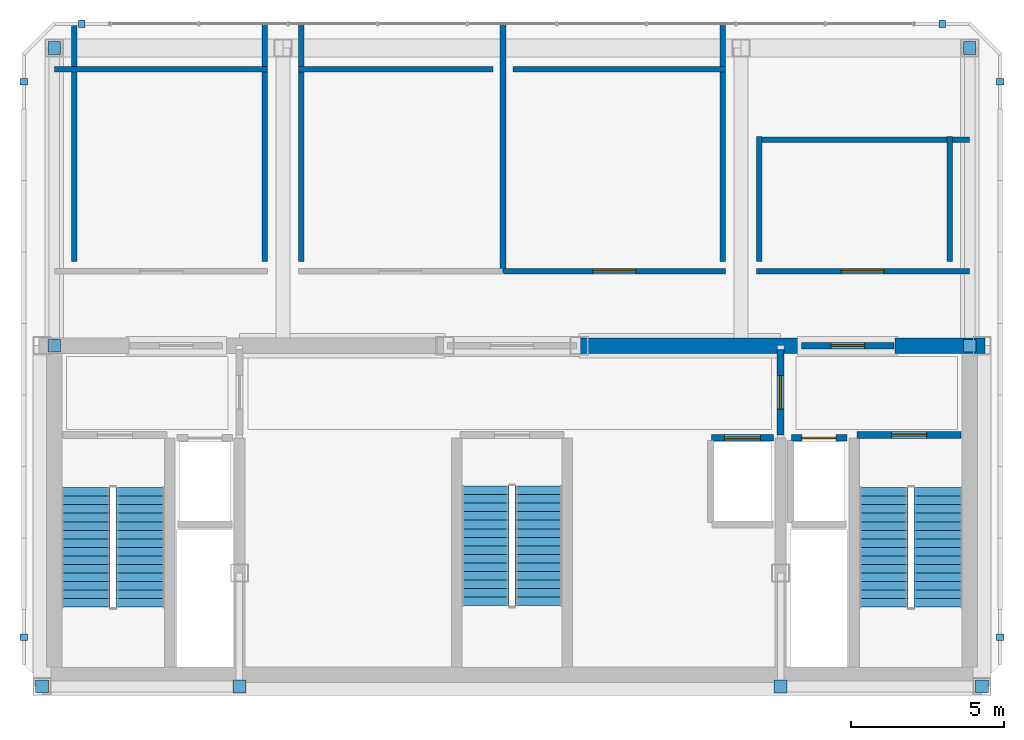
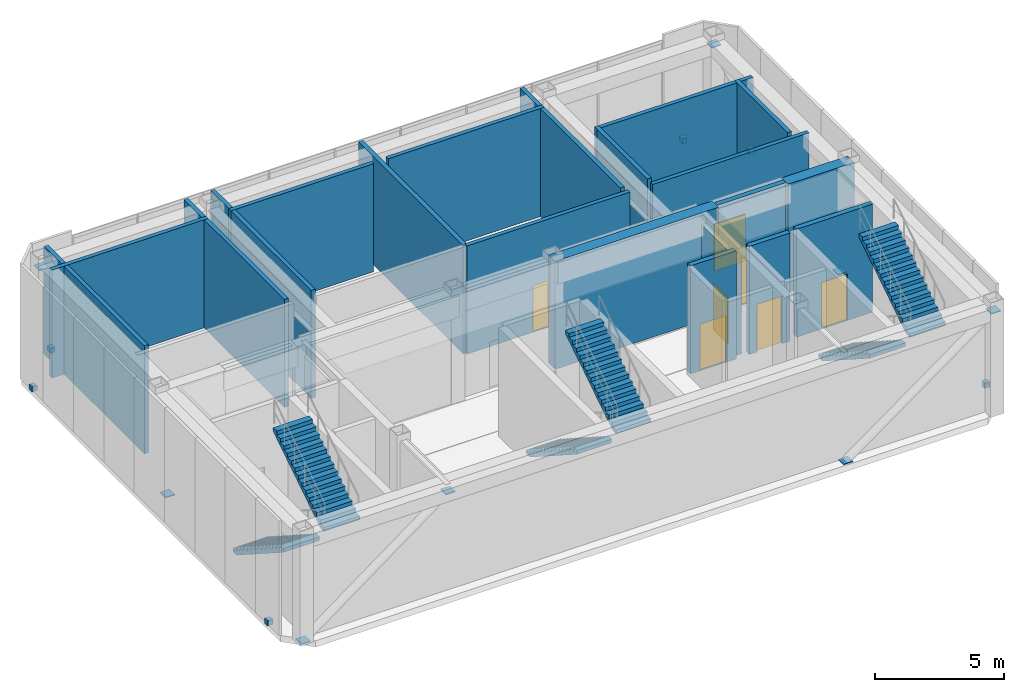
# One storey, part 8 of 9: 20 walls, 14 discrete accessories, 7 doors, 6 stair flights, 7 openings, 3 elements without a shape of their own.
"""IFC4 building model written with IfcOpenShell, lengths in metres."""

from ifc_helpers import new_model, si_unit, direction, frame, frame_2d, origin, origin_2d, place, context, subcontext, project, spatial, polyline, rectangle, outline, extrude, material, layer, layer_set, type_object, element, fill, aggregate, save


model = new_model("IFC4")

# Units and contexts
model_context = context("Model", 3, precision=1e-05, world=origin(), true_north=direction((0.0, 1.0)))
body_context = subcontext(model_context, "Body", "Model", "MODEL_VIEW")
ifc_project = project(units=[si_unit("LENGTHUNIT", "METRE"), si_unit("AREAUNIT", "SQUARE_METRE"), si_unit("VOLUMEUNIT", "CUBIC_METRE"), si_unit("PLANEANGLEUNIT", "RADIAN"), si_unit("MASSUNIT", "GRAM", prefix="KILO")], contexts=[model_context])

# Site, building, storey
site_placement = place(None, origin())
site = spatial("IfcSite", under=ifc_project, at=site_placement, CompositionType="ELEMENT")
building_placement = place(site_placement, origin())
building = spatial("IfcBuilding", under=site, at=building_placement, Name="Ventersveld Concourse Tower", CompositionType="ELEMENT")
storey_placement = place(building_placement, frame((0.0, 0.0, 377.449951171875)))
storey = spatial("IfcBuildingStorey", under=building, at=storey_placement, Name="L92", CompositionType="ELEMENT", Elevation=377.449951171875)

# Walls
ifc_material_1 = material(Name="Concrete C50/60", Category="concrete")
ifc_layer_1 = layer(ifc_material_1, 0.5)
ifc_layer_set_1 = layer_set([ifc_layer_1], Name="Concrete C50/60")
wall_type_1 = type_object("IfcWallType", Name="WL-CORE-500", PredefinedType="SHEAR", material=ifc_layer_set_1)
wall_1_placement = place(storey_placement, frame((30.89990234375, 11.449951171875, 0.0), z_axis=(0.0, 0.0, 1.0), x_axis=(1.0, 0.0, 0.0)))
element("IfcWall", 1, at=wall_1_placement, inside=storey, type_object=wall_type_1, Name="L92 Rear Core North Shear Wall NMR", PredefinedType="SHEAR", context=body_context, shape_type="SweptSolid", body=[
    extrude(rectangle(XDim=7.300048828125, YDim=0.5, at=frame_2d((3.64990234375, 0.0))), origin(), (0.0, 0.0, 1.0), 5.10009765625),
])
wall_2_placement = place(storey_placement, frame((41.300048828125, 11.449951171875, 0.0), z_axis=(0.0, 0.0, 1.0), x_axis=(1.0, 0.0, 0.0)))
element("IfcWall", 2, at=wall_2_placement, inside=storey, type_object=wall_type_1, Name="L92 Rear Core North Shear Wall NE", PredefinedType="SHEAR", context=body_context, shape_type="SweptSolid", body=[
    extrude(rectangle(XDim=2.949951171875, YDim=0.5, at=frame_2d((1.47509765625, 0.0))), origin(), (0.0, 0.0, 1.0), 5.10009765625),
])

# Wall, opening, door
ifc_material_2 = material(Name="Fire-rated autoclaved aerated masonry blockwork", Category="masonry")
ifc_layer_2 = layer(ifc_material_2, 0.179931640625)
ifc_layer_set_2 = layer_set([ifc_layer_2], Name="Fire-rated autoclaved aerated masonry blockwork")
wall_type_2 = type_object("IfcWallType", Name="WL-CORR-180", PredefinedType="PARTITIONING", material=ifc_layer_set_2)
wall_3_placement = place(storey_placement, frame((28.47509765625, 13.889892578125, 0.0), z_axis=(0.0, 0.0, 1.0), x_axis=(1.0, 0.0, 0.0)))
wall_3 = element("IfcWall", 3, at=wall_3_placement, inside=storey, type_object=wall_type_2, Name="L92 Interior Partition SP-L92-PCOR-SP-L92-BATT", PredefinedType="PARTITIONING", context=body_context, shape_type="SweptSolid", body=[
    extrude(rectangle(XDim=7.27001953125, YDim=0.179931640625, at=frame_2d((3.635009765625, 0.0))), origin(), (0.0, 0.0, 1.0), 5.10009765625),
])
opening_1_placement = place(wall_3_placement, frame((2.93505859375, 0.0, 0.0)))
opening_1 = element("IfcOpeningElement", 4, at=opening_1_placement, cuts=wall_3, Name="Opening FD4", PredefinedType="OPENING", context=body_context, shape_type="SweptSolid", body=[
    extrude(rectangle(XDim=1.39990234375, YDim=2.199951171875, at=frame_2d((0.699951171875, 1.10009765625))), frame((0.0, 0.10009765625, 0.0), z_axis=(0.0, -1.0, 0.0), x_axis=(1.0, 0.0, 0.0)), (0.0, 0.0, 1.0), 0.199951171875),
])
ifc_material_3 = material(Name="Galvanised painted steel", Category="steel")
door_type_1 = type_object("IfcDoorType", Name="DR-PLANT-140", OperationType="DOUBLE_DOOR_SINGLE_SWING", PredefinedType="DOOR", material=ifc_material_3)
door_1_placement = place(opening_1_placement, origin())
door_1 = element("IfcDoor", 5, at=door_1_placement, inside=storey, type_object=door_type_1, Name="L92 Interior Door SP-L92-PCOR to SP-L92-BATT (FD-L92-3992)", OperationType="DOUBLE_DOOR_SINGLE_SWING", OverallHeight=2.199951171875, OverallWidth=1.39990234375, PredefinedType="DOOR", context=body_context, shape_type="SweptSolid", body=[
    extrude(rectangle(XDim=1.39990234375, YDim=2.199951171875, at=frame_2d((0.699951171875, 1.10009765625))), frame((0.0, 0.02490234375, 0.0), z_axis=(0.0, -1.0, 0.0), x_axis=(1.0, 0.0, 0.0)), (0.0, 0.0, 1.0), 0.050048828125),
])
fill(opening_1, door_1)

wall_4_placement = place(storey_placement, frame((36.7548828125, 13.889892578125, 0.0), z_axis=(0.0, 0.0, 1.0), x_axis=(1.0, 0.0, 0.0)))
wall_4 = element("IfcWall", 6, at=wall_4_placement, inside=storey, type_object=wall_type_2, Name="L92 Interior Partition SP-L92-PCOR-SP-L92-TNK", PredefinedType="PARTITIONING", context=body_context, shape_type="SweptSolid", body=[
    extrude(rectangle(XDim=6.97705078125, YDim=0.179931640625, at=frame_2d((3.488525390625, 0.0))), origin(), (0.0, 0.0, 1.0), 5.10009765625),
])
opening_2_placement = place(wall_4_placement, frame((2.78857421875, 0.0, 0.0)))
opening_2 = element("IfcOpeningElement", 7, at=opening_2_placement, cuts=wall_4, Name="Opening FD4", PredefinedType="OPENING", context=body_context, shape_type="SweptSolid", body=[
    extrude(rectangle(XDim=1.39990234375, YDim=2.199951171875, at=frame_2d((0.699951171875, 1.10009765625))), frame((0.0, 0.10009765625, 0.0), z_axis=(0.0, -1.0, 0.0), x_axis=(1.0, 0.0, 0.0)), (0.0, 0.0, 1.0), 0.199951171875),
])
door_2_placement = place(opening_2_placement, origin())
door_2 = element("IfcDoor", 8, at=door_2_placement, inside=storey, type_object=door_type_1, Name="L92 Interior Door SP-L92-PCOR to SP-L92-TNK (FD-L92-3993)", OperationType="DOUBLE_DOOR_SINGLE_SWING", OverallHeight=2.199951171875, OverallWidth=1.39990234375, PredefinedType="DOOR", context=body_context, shape_type="SweptSolid", body=[
    extrude(rectangle(XDim=1.39990234375, YDim=2.199951171875, at=frame_2d((0.699951171875, 1.10009765625))), frame((0.0, 0.02490234375, 0.0), z_axis=(0.0, -1.0, 0.0), x_axis=(1.0, 0.0, 0.0)), (0.0, 0.0, 1.0), 0.050048828125),
])
fill(opening_2, door_2)

# Walls
wall_5_placement = place(storey_placement, frame((20.64990234375, 14.215087890625, 0.0), z_axis=(0.0, 0.0, 1.0), x_axis=(0.0, 1.0, 0.0)))
element("IfcWall", 9, at=wall_5_placement, inside=storey, type_object=wall_type_2, Name="L92 Room Enclosure Wall SP-L92-TX", PredefinedType="PARTITIONING", context=body_context, shape_type="SweptSolid", body=[
    extrude(rectangle(XDim=7.766845703125, YDim=0.179931640625, at=frame_2d((3.88330078125, 0.0))), origin(), (0.0, 0.0, 1.0), 5.10009765625),
])
wall_6_placement = place(storey_placement, frame((20.7451171875, 20.5, 0.0), z_axis=(0.0, 0.0, 1.0), x_axis=(-1.0, 0.0, 0.0)))
element("IfcWall", 10, at=wall_6_placement, inside=storey, type_object=wall_type_2, Name="L92 Room Enclosure Wall SP-L92-TX", PredefinedType="PARTITIONING", context=body_context, shape_type="SweptSolid", body=[
    extrude(rectangle(XDim=6.97705078125, YDim=0.179931640625, at=frame_2d((3.488525390625, 0.0))), origin(), (0.0, 0.0, 1.0), 5.10009765625),
])
wall_7_placement = place(storey_placement, frame((14.39990234375, 21.990966796875, 0.0), z_axis=(0.0, 0.0, 1.0), x_axis=(0.0, -1.0, 0.0)))
element("IfcWall", 11, at=wall_7_placement, inside=storey, type_object=wall_type_2, Name="L92 Room Enclosure Wall SP-L92-TX", PredefinedType="PARTITIONING", context=body_context, shape_type="SweptSolid", body=[
    extrude(rectangle(XDim=7.77587890625, YDim=0.179931640625, at=frame_2d((3.887939453125, 0.0))), origin(), (0.0, 0.0, 1.0), 5.10009765625),
])
wall_8_placement = place(storey_placement, frame((28.125, 20.5, 0.0), z_axis=(0.0, 0.0, 1.0), x_axis=(-1.0, 0.0, 0.0)))
element("IfcWall", 12, at=wall_8_placement, inside=storey, type_object=wall_type_2, Name="L92 Room Enclosure Wall SP-L92-UPS", PredefinedType="PARTITIONING", context=body_context, shape_type="SweptSolid", body=[
    extrude(rectangle(XDim=6.3701171875, YDim=0.179931640625, at=frame_2d((3.18505859375, 0.0))), origin(), (0.0, 0.0, 1.0), 5.10009765625),
])
for number, where, z_axis, x_axis, name in (
    (13, (21.85009765625, 21.98193359375, 0.0), (0.0, 0.0, 1.0), (0.0, -1.0, 0.0), "L92 Room Enclosure Wall SP-L92-UPS"),
    (14, (35.64990234375, 14.215087890625, 0.0), (0.0, 0.0, 1.0), (0.0, 1.0, 0.0), "L92 Room Enclosure Wall SP-L92-BATT"),
):
    element("IfcWall", number, at=place(storey_placement, frame(where, z_axis=z_axis, x_axis=x_axis)), inside=storey, type_object=wall_type_2, Name=name, PredefinedType="PARTITIONING", context=body_context, shape_type="SweptSolid", body=[
        extrude(rectangle(XDim=7.766845703125, YDim=0.179931640625, at=frame_2d((3.88330078125, 0.0))), origin(), (0.0, 0.0, 1.0), 5.10009765625),
    ])
wall_9_placement = place(storey_placement, frame((35.7451171875, 20.5, 0.0), z_axis=(0.0, 0.0, 1.0), x_axis=(-1.0, 0.0, 0.0)))
element("IfcWall", 15, at=wall_9_placement, inside=storey, type_object=wall_type_2, Name="L92 Room Enclosure Wall SP-L92-BATT", PredefinedType="PARTITIONING", context=body_context, shape_type="SweptSolid", body=[
    extrude(rectangle(XDim=6.97021484375, YDim=0.179931640625, at=frame_2d((3.485107421875, 0.0))), origin(), (0.0, 0.0, 1.0), 5.10009765625),
])
wall_10_placement = place(storey_placement, frame((43.10009765625, 14.215087890625, 0.0), z_axis=(0.0, 0.0, 1.0), x_axis=(0.0, 1.0, 0.0)))
element("IfcWall", 16, at=wall_10_placement, inside=storey, type_object=wall_type_2, Name="L92 Room Enclosure Wall SP-L92-TNK", PredefinedType="PARTITIONING", context=body_context, shape_type="SweptSolid", body=[
    extrude(rectangle(XDim=4.079833984375, YDim=0.179931640625, at=frame_2d((2.0400390625, 0.0))), origin(), (0.0, 0.0, 1.0), 5.10009765625),
])
wall_11_placement = place(storey_placement, frame((43.73193359375, 18.199951171875, 0.0), z_axis=(0.0, 0.0, 1.0), x_axis=(-1.0, 0.0, 0.0)))
element("IfcWall", 17, at=wall_11_placement, inside=storey, type_object=wall_type_2, Name="L92 Room Enclosure Wall SP-L92-TNK", PredefinedType="PARTITIONING", context=body_context, shape_type="SweptSolid", body=[
    extrude(rectangle(XDim=6.97705078125, YDim=0.179931640625, at=frame_2d((3.488525390625, 0.0))), origin(), (0.0, 0.0, 1.0), 5.10009765625),
])
wall_12_placement = place(storey_placement, frame((36.85009765625, 18.294921875, 0.0), z_axis=(0.0, 0.0, 1.0), x_axis=(0.0, -1.0, 0.0)))
element("IfcWall", 18, at=wall_12_placement, inside=storey, type_object=wall_type_2, Name="L92 Room Enclosure Wall SP-L92-TNK", PredefinedType="PARTITIONING", context=body_context, shape_type="SweptSolid", body=[
    extrude(rectangle(XDim=4.079833984375, YDim=0.179931640625, at=frame_2d((2.0400390625, 0.0))), origin(), (0.0, 0.0, 1.0), 5.10009765625),
])
ifc_layer_3 = layer(ifc_material_2, 0.199951171875)
ifc_layer_set_3 = layer_set([ifc_layer_3], Name="Fire-rated autoclaved aerated masonry blockwork")
wall_type_3 = type_object("IfcWallType", Name="WL-DEMISE-200", PredefinedType="PARTITIONING", material=ifc_layer_set_3)
wall_13_placement = place(storey_placement, frame((28.449951171875, 13.885009765625, 0.0), z_axis=(0.0, 0.0, 1.0), x_axis=(0.0, 1.0, 0.0)))
element("IfcWall", 19, at=wall_13_placement, inside=storey, type_object=wall_type_3, Name="L92 Interior Partition SP-L92-UPS-SP-L92-BATT", PredefinedType="PARTITIONING", context=body_context, shape_type="SweptSolid", body=[
    extrude(rectangle(XDim=8.096923828125, YDim=0.199951171875, at=frame_2d((4.04833984375, 0.0))), origin(), (0.0, 0.0, 1.0), 5.10009765625),
])

# Wall, opening, door
ifc_layer_4 = layer(ifc_material_2, 0.219970703125)
ifc_layer_set_4 = layer_set([ifc_layer_4], Name="Fire-rated autoclaved aerated masonry blockwork")
wall_type_4 = type_object("IfcWallType", Name="WL-HOIST-220", PredefinedType="SOLIDWALL", material=ifc_layer_set_4)
wall_14_placement = place(storey_placement, frame((37.89990234375, 8.429931640625, 0.0), z_axis=(0.0, 0.0, 1.0), x_axis=(1.0, 0.0, 0.0)))
wall_14 = element("IfcWall", 20, at=wall_14_placement, inside=storey, type_object=wall_type_4, Name="L92 Lift Hoistway Front Wall FFL-02", PredefinedType="SOLIDWALL", context=body_context, shape_type="SweptSolid", body=[
    extrude(rectangle(XDim=1.820068359375, YDim=0.219970703125, at=frame_2d((0.91015625, 0.0))), origin(), (0.0, 0.0, 1.0), 5.10009765625),
])
opening_3_placement = place(wall_14_placement, frame((0.35009765625, 0.0, 0.0)))
opening_3 = element("IfcOpeningElement", 21, at=opening_3_placement, cuts=wall_14, Name="Opening LD1", PredefinedType="OPENING", context=body_context, shape_type="SweptSolid", body=[
    extrude(rectangle(XDim=1.1201171875, YDim=2.25, at=frame_2d((0.56005859375, 1.125))), frame((0.0, 0.1201171875, 0.0), z_axis=(0.0, -1.0, 0.0), x_axis=(1.0, 0.0, 0.0)), (0.0, 0.0, 1.0), 0.239990234375),
])
ifc_material_4 = material(Name="Brushed stainless steel 316", Category="steel")
door_type_2 = type_object("IfcDoorType", Name="LD-FF-112", OperationType="SLIDING_TO_LEFT", PredefinedType="DOOR", material=ifc_material_4)
door_3_placement = place(opening_3_placement, origin())
door_3 = element("IfcDoor", 22, at=door_3_placement, inside=storey, type_object=door_type_2, Name="L92 Lift landing door FFL-02 (LD-L92-FFL-02)", OperationType="SLIDING_TO_LEFT", OverallHeight=2.25, OverallWidth=1.1201171875, PredefinedType="DOOR", context=body_context, shape_type="SweptSolid", body=[
    extrude(rectangle(XDim=1.1201171875, YDim=2.25, at=frame_2d((0.56005859375, 1.125))), frame((0.0, 0.02490234375, 0.0), z_axis=(0.0, -1.0, 0.0), x_axis=(1.0, 0.0, 0.0)), (0.0, 0.0, 1.0), 0.050048828125),
])
fill(opening_3, door_3)

wall_15_placement = place(storey_placement, frame((35.280029296875, 8.429931640625, 0.0), z_axis=(0.0, 0.0, 1.0), x_axis=(1.0, 0.0, 0.0)))
wall_15 = element("IfcWall", 23, at=wall_15_placement, inside=storey, type_object=wall_type_4, Name="L92 Lift Hoistway Front Wall SVL-01", PredefinedType="SOLIDWALL", context=body_context, shape_type="SweptSolid", body=[
    extrude(rectangle(XDim=2.0400390625, YDim=0.219970703125, at=frame_2d((1.02001953125, 0.0))), origin(), (0.0, 0.0, 1.0), 5.10009765625),
])
opening_4_placement = place(wall_15_placement, frame((0.429931640625, 0.0, 0.0)))
opening_4 = element("IfcOpeningElement", 24, at=opening_4_placement, cuts=wall_15, Name="Opening LD2", PredefinedType="OPENING", context=body_context, shape_type="SweptSolid", body=[
    extrude(rectangle(XDim=1.179931640625, YDim=2.199951171875, at=frame_2d((0.58984375, 1.10009765625))), frame((0.0, 0.1201171875, 0.0), z_axis=(0.0, -1.0, 0.0), x_axis=(1.0, 0.0, 0.0)), (0.0, 0.0, 1.0), 0.239990234375),
])
door_type_3 = type_object("IfcDoorType", Name="LD-PAX-118", OperationType="SLIDING_TO_LEFT", PredefinedType="DOOR", material=ifc_material_4)
door_4_placement = place(opening_4_placement, origin())
door_4 = element("IfcDoor", 25, at=door_4_placement, inside=storey, type_object=door_type_3, Name="L92 Lift landing door SVL-01 (LD-L92-SVL-01)", OperationType="SLIDING_TO_RIGHT", OverallHeight=2.199951171875, OverallWidth=1.179931640625, PredefinedType="DOOR", context=body_context, shape_type="SweptSolid", body=[
    extrude(rectangle(XDim=1.179931640625, YDim=2.199951171875, at=frame_2d((0.58984375, 1.10009765625))), frame((0.0, 0.02490234375, 0.0), z_axis=(0.0, -1.0, 0.0), x_axis=(1.0, 0.0, 0.0)), (0.0, 0.0, 1.0), 0.050048828125),
])
fill(opening_4, door_4)

wall_16_placement = place(storey_placement, frame((40.06005859375, 8.52001953125, 0.0), z_axis=(0.0, 0.0, 1.0), x_axis=(1.0, 0.0, 0.0)))
wall_16 = element("IfcWall", 26, at=wall_16_placement, inside=storey, type_object=wall_type_4, Name="L92 Escape Stair ST02 Fire Wall", PredefinedType="SOLIDWALL", context=body_context, shape_type="SweptSolid", body=[
    extrude(rectangle(XDim=3.39990234375, YDim=0.219970703125, at=frame_2d((1.699951171875, 0.0))), origin(), (0.0, 0.0, 1.0), 5.10009765625),
])
opening_5_placement = place(wall_16_placement, frame((1.125, 0.0, 0.0)))
opening_5 = element("IfcOpeningElement", 27, at=opening_5_placement, cuts=wall_16, Name="Opening FD1", PredefinedType="OPENING", context=body_context, shape_type="SweptSolid", body=[
    extrude(rectangle(XDim=1.14990234375, YDim=2.199951171875, at=frame_2d((0.574951171875, 1.10009765625))), frame((0.0, 0.1201171875, 0.0), z_axis=(0.0, -1.0, 0.0), x_axis=(1.0, 0.0, 0.0)), (0.0, 0.0, 1.0), 0.239990234375),
])
door_type_4 = type_object("IfcDoorType", Name="DR-STAIR-115", OperationType="NOTDEFINED", PredefinedType="DOOR", material=ifc_material_3)
door_5_placement = place(opening_5_placement, origin())
door_5 = element("IfcDoor", 28, at=door_5_placement, inside=storey, type_object=door_type_4, Name="L92 Escape Stair Door ST02 (SD-L92-3983)", OperationType="SINGLE_SWING_RIGHT", OverallHeight=2.199951171875, OverallWidth=1.14990234375, PredefinedType="DOOR", context=body_context, shape_type="SweptSolid", body=[
    extrude(rectangle(XDim=1.14990234375, YDim=2.199951171875, at=frame_2d((0.574951171875, 1.10009765625))), frame((0.0, 0.02490234375, 0.0), z_axis=(0.0, -1.0, 0.0), x_axis=(1.0, 0.0, 0.0)), (0.0, 0.0, 1.0), 0.050048828125),
])
fill(opening_5, door_5)

wall_17_placement = place(storey_placement, frame((37.550048828125, 8.52001953125, 0.0), z_axis=(0.0, 0.0, 1.0), x_axis=(0.0, 1.0, 0.0)))
wall_17 = element("IfcWall", 29, at=wall_17_placement, inside=storey, type_object=wall_type_4, Name="L92 Firefighting Lobby Smoke-Stop Wall FFLE-SEP", PredefinedType="SOLIDWALL", context=body_context, shape_type="SweptSolid", body=[
    extrude(rectangle(XDim=2.800048828125, YDim=0.219970703125, at=frame_2d((1.39990234375, 0.0))), origin(), (0.0, 0.0, 1.0), 4.5556640625),
])
opening_6_placement = place(wall_17_placement, frame((0.85009765625, 0.0, 0.0)))
opening_6 = element("IfcOpeningElement", 30, at=opening_6_placement, cuts=wall_17, Name="Opening FD2", PredefinedType="OPENING", context=body_context, shape_type="SweptSolid", body=[
    extrude(rectangle(XDim=1.10009765625, YDim=2.199951171875, at=frame_2d((0.550048828125, 1.10009765625))), frame((0.0, 0.1201171875, 0.0), z_axis=(0.0, -1.0, 0.0), x_axis=(1.0, 0.0, 0.0)), (0.0, 0.0, 1.0), 0.239990234375),
])
door_type_5 = type_object("IfcDoorType", Name="DR-FFL-110", OperationType="NOTDEFINED", PredefinedType="DOOR", material=ifc_material_3)
door_6_placement = place(opening_6_placement, origin())
door_6 = element("IfcDoor", 31, at=door_6_placement, inside=storey, type_object=door_type_5, Name="L92 Firefighting Lobby Door FFLE-SEP (FD-L92-3986)", OperationType="SINGLE_SWING_RIGHT", OverallHeight=2.199951171875, OverallWidth=1.10009765625, PredefinedType="DOOR", context=body_context, shape_type="SweptSolid", body=[
    extrude(rectangle(XDim=1.10009765625, YDim=2.199951171875, at=frame_2d((0.550048828125, 1.10009765625))), frame((0.0, 0.02490234375, 0.0), z_axis=(0.0, -1.0, 0.0), x_axis=(1.0, 0.0, 0.0)), (0.0, 0.0, 1.0), 0.050048828125),
])
fill(opening_6, door_6)

wall_18_placement = place(storey_placement, frame((38.22998046875, 11.449951171875, 0.0), z_axis=(0.0, 0.0, 1.0), x_axis=(1.0, 0.0, 0.0)))
wall_18 = element("IfcWall", 32, at=wall_18_placement, inside=storey, type_object=wall_type_4, Name="L92 Core North Fire Portal FFLE-OUT", PredefinedType="SOLIDWALL", context=body_context, shape_type="SweptSolid", body=[
    extrude(rectangle(XDim=3.0400390625, YDim=0.219970703125, at=frame_2d((1.52001953125, 0.0))), origin(), (0.0, 0.0, 1.0), 5.10009765625),
])
opening_7_placement = place(wall_18_placement, frame((0.969970703125, 0.0, 0.0)))
opening_7 = element("IfcOpeningElement", 33, at=opening_7_placement, cuts=wall_18, Name="Opening FD2", PredefinedType="OPENING", context=body_context, shape_type="SweptSolid", body=[
    extrude(rectangle(XDim=1.10009765625, YDim=2.199951171875, at=frame_2d((0.550048828125, 1.10009765625))), frame((0.0, 0.1201171875, 0.0), z_axis=(0.0, -1.0, 0.0), x_axis=(1.0, 0.0, 0.0)), (0.0, 0.0, 1.0), 0.239990234375),
])
door_7_placement = place(opening_7_placement, origin())
door_7 = element("IfcDoor", 34, at=door_7_placement, inside=storey, type_object=door_type_5, Name="L92 Core Lobby Fire Door FFLE-OUT (FD-L92-3989)", OperationType="SINGLE_SWING_LEFT", OverallHeight=2.199951171875, OverallWidth=1.10009765625, PredefinedType="DOOR", context=body_context, shape_type="SweptSolid", body=[
    extrude(rectangle(XDim=1.10009765625, YDim=2.199951171875, at=frame_2d((0.550048828125, 1.10009765625))), frame((0.0, 0.02490234375, 0.0), z_axis=(0.0, -1.0, 0.0), x_axis=(1.0, 0.0, 0.0)), (0.0, 0.0, 1.0), 0.050048828125),
])
fill(opening_7, door_7)

# Stair, stair flights
stair_type_1 = type_object("IfcStairType", Name="ST-DOG-155", PredefinedType="HALF_TURN_STAIR", material=ifc_material_1)
stair_1_placement = place(storey_placement, origin())
stair_1 = element("IfcStair", 35, at=stair_1_placement, inside=storey, type_object=stair_type_1, Name="L92 Protected Central Core Escape Stair ST-03", PredefinedType="HALF_TURN_STAIR")
stair_flight_type_1 = type_object("IfcStairFlightType", Name="STF-RC-155", PredefinedType="STRAIGHT", material=ifc_material_1)
stair_flight_1_placement = place(storey_placement, frame((27.875, 6.85009765625, 0.0), z_axis=(0.0, 0.0, 1.0), x_axis=(0.0, -1.0, 0.0)))
stair_flight_1 = element("IfcStairFlight", 36, at=stair_flight_1_placement, type_object=stair_flight_type_1, Name="ST-03 flight 1", NumberOfRisers=15, NumberOfTreads=14, PredefinedType="STRAIGHT", RiserHeight=0.18, TreadLength=0.28, context=body_context, shape_type="SweptSolid", body=[
    extrude(outline(polyline([(0.0, 0.0), (0.0, 0.179931640625), (0.280029296875, 0.179931640625), (0.280029296875, 0.360107421875), (0.56005859375, 0.360107421875), (0.56005859375, 0.5400390625), (0.840087890625, 0.5400390625), (0.840087890625, 0.719970703125), (1.1201171875, 0.719970703125), (1.1201171875, 0.89990234375), (1.39990234375, 0.89990234375), (1.39990234375, 1.080078125), (1.679931640625, 1.080078125), (1.679931640625, 1.260009765625), (1.9599609375, 1.260009765625), (1.9599609375, 1.43994140625), (2.239990234375, 1.43994140625), (2.239990234375, 1.6201171875), (2.52001953125, 1.6201171875), (2.52001953125, 1.800048828125), (2.800048828125, 1.800048828125), (2.800048828125, 1.97998046875), (3.080078125, 1.97998046875), (3.080078125, 2.159912109375), (3.360107421875, 2.159912109375), (3.360107421875, 2.340087890625), (3.639892578125, 2.340087890625), (3.639892578125, 2.52001953125), (3.919921875, 2.52001953125), (3.919921875, 2.699951171875), (3.919921875, 2.341796875), (0.277099609375, 0.0), (0.0, 0.0)])), frame((0.0, 0.77490234375, 0.0), z_axis=(0.0, -1.0, 0.0), x_axis=(1.0, 0.0, 0.0)), (0.0, 0.0, 1.0), 1.550048828125),
])
stair_flight_2_placement = place(storey_placement, frame((29.625, 2.929931640625, 2.699951171875), z_axis=(0.0, 0.0, 1.0), x_axis=(0.0, 1.0, 0.0)))
stair_flight_2 = element("IfcStairFlight", 37, at=stair_flight_2_placement, type_object=stair_flight_type_1, Name="ST-03 flight 2", NumberOfRisers=15, NumberOfTreads=14, PredefinedType="STRAIGHT", RiserHeight=0.18, TreadLength=0.28, context=body_context, shape_type="SweptSolid", body=[
    extrude(outline(polyline([(0.0, 0.0), (0.0, 0.179931640625), (0.280029296875, 0.179931640625), (0.280029296875, 0.360107421875), (0.56005859375, 0.360107421875), (0.56005859375, 0.5400390625), (0.840087890625, 0.5400390625), (0.840087890625, 0.719970703125), (1.1201171875, 0.719970703125), (1.1201171875, 0.89990234375), (1.39990234375, 0.89990234375), (1.39990234375, 1.080078125), (1.679931640625, 1.080078125), (1.679931640625, 1.260009765625), (1.9599609375, 1.260009765625), (1.9599609375, 1.43994140625), (2.239990234375, 1.43994140625), (2.239990234375, 1.6201171875), (2.52001953125, 1.6201171875), (2.52001953125, 1.800048828125), (2.800048828125, 1.800048828125), (2.800048828125, 1.97998046875), (3.080078125, 1.97998046875), (3.080078125, 2.159912109375), (3.360107421875, 2.159912109375), (3.360107421875, 2.340087890625), (3.639892578125, 2.340087890625), (3.639892578125, 2.52001953125), (3.919921875, 2.52001953125), (3.919921875, 2.699951171875), (3.919921875, 2.341796875), (0.277099609375, 0.0), (0.0, 0.0)])), frame((0.0, 0.77490234375, 0.0), z_axis=(0.0, -1.0, 0.0), x_axis=(1.0, 0.0, 0.0)), (0.0, 0.0, 1.0), 1.550048828125),
])
aggregate(stair_1, [stair_flight_1, stair_flight_2])

stair_type_2 = type_object("IfcStairType", Name="ST-DOG-160", PredefinedType="HALF_TURN_STAIR", material=ifc_material_1)
stair_2_placement = place(storey_placement, origin())
stair_2 = element("IfcStair", 38, at=stair_2_placement, inside=storey, type_object=stair_type_2, Name="L92 Protected Tower Escape Stair ST-01", PredefinedType="HALF_TURN_STAIR")
stair_flight_type_2 = type_object("IfcStairFlightType", Name="STF-RC-160", PredefinedType="STRAIGHT", material=ifc_material_1)
stair_flight_3_placement = place(storey_placement, frame((14.780029296875, 6.800048828125, 0.0), z_axis=(0.0, 0.0, 1.0), x_axis=(0.0, -1.0, 0.0)))
stair_flight_3 = element("IfcStairFlight", 39, at=stair_flight_3_placement, type_object=stair_flight_type_2, Name="ST-01 flight 1", NumberOfRisers=15, NumberOfTreads=14, PredefinedType="STRAIGHT", RiserHeight=0.18, TreadLength=0.28, context=body_context, shape_type="SweptSolid", body=[
    extrude(outline(polyline([(0.0, 0.0), (0.0, 0.179931640625), (0.280029296875, 0.179931640625), (0.280029296875, 0.360107421875), (0.56005859375, 0.360107421875), (0.56005859375, 0.5400390625), (0.840087890625, 0.5400390625), (0.840087890625, 0.719970703125), (1.1201171875, 0.719970703125), (1.1201171875, 0.89990234375), (1.39990234375, 0.89990234375), (1.39990234375, 1.080078125), (1.679931640625, 1.080078125), (1.679931640625, 1.260009765625), (1.9599609375, 1.260009765625), (1.9599609375, 1.43994140625), (2.239990234375, 1.43994140625), (2.239990234375, 1.6201171875), (2.52001953125, 1.6201171875), (2.52001953125, 1.800048828125), (2.800048828125, 1.800048828125), (2.800048828125, 1.97998046875), (3.080078125, 1.97998046875), (3.080078125, 2.159912109375), (3.360107421875, 2.159912109375), (3.360107421875, 2.340087890625), (3.639892578125, 2.340087890625), (3.639892578125, 2.52001953125), (3.919921875, 2.52001953125), (3.919921875, 2.699951171875), (3.919921875, 2.341796875), (0.277099609375, 0.0), (0.0, 0.0)])), frame((0.0, 0.800048828125, 0.0), z_axis=(0.0, -1.0, 0.0), x_axis=(1.0, 0.0, 0.0)), (0.0, 0.0, 1.0), 1.60009765625),
])
stair_flight_4_placement = place(storey_placement, frame((16.580078125, 2.8798828125, 2.699951171875), z_axis=(0.0, 0.0, 1.0), x_axis=(0.0, 1.0, 0.0)))
stair_flight_4 = element("IfcStairFlight", 40, at=stair_flight_4_placement, type_object=stair_flight_type_2, Name="ST-01 flight 2", NumberOfRisers=15, NumberOfTreads=14, PredefinedType="STRAIGHT", RiserHeight=0.18, TreadLength=0.28, context=body_context, shape_type="SweptSolid", body=[
    extrude(outline(polyline([(0.0, 0.0), (0.0, 0.179931640625), (0.280029296875, 0.179931640625), (0.280029296875, 0.360107421875), (0.56005859375, 0.360107421875), (0.56005859375, 0.5400390625), (0.840087890625, 0.5400390625), (0.840087890625, 0.719970703125), (1.1201171875, 0.719970703125), (1.1201171875, 0.89990234375), (1.39990234375, 0.89990234375), (1.39990234375, 1.080078125), (1.679931640625, 1.080078125), (1.679931640625, 1.260009765625), (1.9599609375, 1.260009765625), (1.9599609375, 1.43994140625), (2.239990234375, 1.43994140625), (2.239990234375, 1.6201171875), (2.52001953125, 1.6201171875), (2.52001953125, 1.800048828125), (2.800048828125, 1.800048828125), (2.800048828125, 1.97998046875), (3.080078125, 1.97998046875), (3.080078125, 2.159912109375), (3.360107421875, 2.159912109375), (3.360107421875, 2.340087890625), (3.639892578125, 2.340087890625), (3.639892578125, 2.52001953125), (3.919921875, 2.52001953125), (3.919921875, 2.699951171875), (3.919921875, 2.341796875), (0.277099609375, 0.0), (0.0, 0.0)])), frame((0.0, 0.800048828125, 0.0), z_axis=(0.0, -1.0, 0.0), x_axis=(1.0, 0.0, 0.0)), (0.0, 0.0, 1.0), 1.60009765625),
])
aggregate(stair_2, [stair_flight_3, stair_flight_4])

stair_3_placement = place(storey_placement, origin())
stair_3 = element("IfcStair", 41, at=stair_3_placement, inside=storey, type_object=stair_type_2, Name="L92 Protected Tower Escape Stair ST-02", PredefinedType="HALF_TURN_STAIR")
stair_flight_5_placement = place(storey_placement, frame((40.919921875, 6.800048828125, 0.0), z_axis=(0.0, 0.0, 1.0), x_axis=(0.0, -1.0, 0.0)))
stair_flight_5 = element("IfcStairFlight", 42, at=stair_flight_5_placement, type_object=stair_flight_type_2, Name="ST-02 flight 1", NumberOfRisers=15, NumberOfTreads=14, PredefinedType="STRAIGHT", RiserHeight=0.18, TreadLength=0.28, context=body_context, shape_type="SweptSolid", body=[
    extrude(outline(polyline([(0.0, 0.0), (0.0, 0.179931640625), (0.280029296875, 0.179931640625), (0.280029296875, 0.360107421875), (0.56005859375, 0.360107421875), (0.56005859375, 0.5400390625), (0.840087890625, 0.5400390625), (0.840087890625, 0.719970703125), (1.1201171875, 0.719970703125), (1.1201171875, 0.89990234375), (1.39990234375, 0.89990234375), (1.39990234375, 1.080078125), (1.679931640625, 1.080078125), (1.679931640625, 1.260009765625), (1.9599609375, 1.260009765625), (1.9599609375, 1.43994140625), (2.239990234375, 1.43994140625), (2.239990234375, 1.6201171875), (2.52001953125, 1.6201171875), (2.52001953125, 1.800048828125), (2.800048828125, 1.800048828125), (2.800048828125, 1.97998046875), (3.080078125, 1.97998046875), (3.080078125, 2.159912109375), (3.360107421875, 2.159912109375), (3.360107421875, 2.340087890625), (3.639892578125, 2.340087890625), (3.639892578125, 2.52001953125), (3.919921875, 2.52001953125), (3.919921875, 2.699951171875), (3.919921875, 2.341796875), (0.277099609375, 0.0), (0.0, 0.0)])), frame((0.0, 0.800048828125, 0.0), z_axis=(0.0, -1.0, 0.0), x_axis=(1.0, 0.0, 0.0)), (0.0, 0.0, 1.0), 1.60009765625),
])
stair_flight_6_placement = place(storey_placement, frame((42.719970703125, 2.8798828125, 2.699951171875), z_axis=(0.0, 0.0, 1.0), x_axis=(0.0, 1.0, 0.0)))
stair_flight_6 = element("IfcStairFlight", 43, at=stair_flight_6_placement, type_object=stair_flight_type_2, Name="ST-02 flight 2", NumberOfRisers=15, NumberOfTreads=14, PredefinedType="STRAIGHT", RiserHeight=0.18, TreadLength=0.28, context=body_context, shape_type="SweptSolid", body=[
    extrude(outline(polyline([(0.0, 0.0), (0.0, 0.179931640625), (0.280029296875, 0.179931640625), (0.280029296875, 0.360107421875), (0.56005859375, 0.360107421875), (0.56005859375, 0.5400390625), (0.840087890625, 0.5400390625), (0.840087890625, 0.719970703125), (1.1201171875, 0.719970703125), (1.1201171875, 0.89990234375), (1.39990234375, 0.89990234375), (1.39990234375, 1.080078125), (1.679931640625, 1.080078125), (1.679931640625, 1.260009765625), (1.9599609375, 1.260009765625), (1.9599609375, 1.43994140625), (2.239990234375, 1.43994140625), (2.239990234375, 1.6201171875), (2.52001953125, 1.6201171875), (2.52001953125, 1.800048828125), (2.800048828125, 1.800048828125), (2.800048828125, 1.97998046875), (3.080078125, 1.97998046875), (3.080078125, 2.159912109375), (3.360107421875, 2.159912109375), (3.360107421875, 2.340087890625), (3.639892578125, 2.340087890625), (3.639892578125, 2.52001953125), (3.919921875, 2.52001953125), (3.919921875, 2.699951171875), (3.919921875, 2.341796875), (0.277099609375, 0.0), (0.0, 0.0)])), frame((0.0, 0.800048828125, 0.0), z_axis=(0.0, -1.0, 0.0), x_axis=(1.0, 0.0, 0.0)), (0.0, 0.0, 1.0), 1.60009765625),
])
aggregate(stair_3, [stair_flight_5, stair_flight_6])

# Discrete accessories
ifc_material_5 = material(Name="Structural steel S355J2", Category="steel")
discrete_accessory_type_1 = type_object("IfcDiscreteAccessoryType", Name="BRK-FACADE-150", PredefinedType="BRACKET", material=ifc_material_5)
for number, where, z_axis, x_axis, name in (
    (44, (44.75, 1.89990234375, 0.0), (0.0, 0.0, 1.0), (0.0, 1.0, 0.0), "L92 Crown Cladding Support Bracket E3-P1"),
    (45, (44.75, 20.10009765625, 0.0), (0.0, 0.0, 1.0), (0.0, 1.0, 0.0), "L92 Crown Cladding Support Bracket E3-P2"),
    (46, (42.85009765625, 22.0, 0.0), (0.0, 0.0, 1.0), (-1.0, 0.0, 0.0), "L92 Crown Cladding Support Bracket E5-P1"),
    (47, (14.64990234375, 22.0, 0.0), (0.0, 0.0, 1.0), (-1.0, 0.0, 0.0), "L92 Crown Cladding Support Bracket E5-P2"),
    (48, (12.75, 20.10009765625, 0.0), (0.0, 0.0, 1.0), (0.0, -1.0, 0.0), "L92 Crown Cladding Support Bracket E7-P1"),
    (49, (12.75, 1.89990234375, 0.0), (0.0, 0.0, 1.0), (0.0, -1.0, 0.0), "L92 Crown Cladding Support Bracket E7-P2"),
):
    element("IfcDiscreteAccessory", number, at=place(storey_placement, frame(where, z_axis=z_axis, x_axis=x_axis)), inside=storey, type_object=discrete_accessory_type_1, Name=name, PredefinedType="BRACKET", context=body_context, shape_type="SweptSolid", body=[
        extrude(rectangle(XDim=0.219970703125, YDim=0.239990234375, at=origin_2d()), origin(), (0.0, 0.0, 1.0), 0.239990234375),
    ])
discrete_accessory_type_2 = type_object("IfcDiscreteAccessoryType", Name="CONN-BRACE-ECP1", PredefinedType="BRACKET", material=ifc_material_5)
for number, where, z_axis, x_axis, name in (
    (50, (13.35009765625, 0.280029296875, -0.02001953125), (0.0, 0.0, 1.0), (1.0, 0.0, 0.0), "L92 Steel Brace End Connection Plate ECP1-0173"),
    (51, (19.820068359375, 0.280029296875, 4.780029296875), (0.0, 0.0, 1.0), (1.0, 0.0, 0.0), "L92 Steel Brace End Connection Plate ECP1-0174"),
    (52, (37.550048828125, 0.280029296875, -0.02001953125), (0.0, 0.0, 1.0), (1.0, 0.0, 0.0), "L92 Steel Brace End Connection Plate ECP1-0175"),
    (53, (44.14990234375, 0.280029296875, 4.780029296875), (0.0, 0.0, 1.0), (1.0, 0.0, 0.0), "L92 Steel Brace End Connection Plate ECP1-0176"),
    (54, (13.75, 11.449951171875, -0.02001953125), (0.0, 0.0, 1.0), (1.0, 0.0, 0.0), "L92 Steel Brace End Connection Plate ECP1-0177"),
    (55, (13.75, 21.199951171875, 4.780029296875), (0.0, 0.0, 1.0), (1.0, 0.0, 0.0), "L92 Steel Brace End Connection Plate ECP1-0178"),
    (56, (43.75, 11.449951171875, -0.02001953125), (0.0, 0.0, 1.0), (1.0, 0.0, 0.0), "L92 Steel Brace End Connection Plate ECP1-0179"),
    (57, (43.75, 21.199951171875, 4.780029296875), (0.0, 0.0, 1.0), (1.0, 0.0, 0.0), "L92 Steel Brace End Connection Plate ECP1-0180"),
):
    element("IfcDiscreteAccessory", number, at=place(storey_placement, frame(where, z_axis=z_axis, x_axis=x_axis)), inside=storey, type_object=discrete_accessory_type_2, Name=name, PredefinedType="BRACKET", context=body_context, shape_type="SweptSolid", body=[
        extrude(rectangle(XDim=0.419921875, YDim=0.419921875, at=origin_2d()), origin(), (0.0, 0.0, 1.0), 0.0400390625),
    ])

save(model, "model.ifc")
